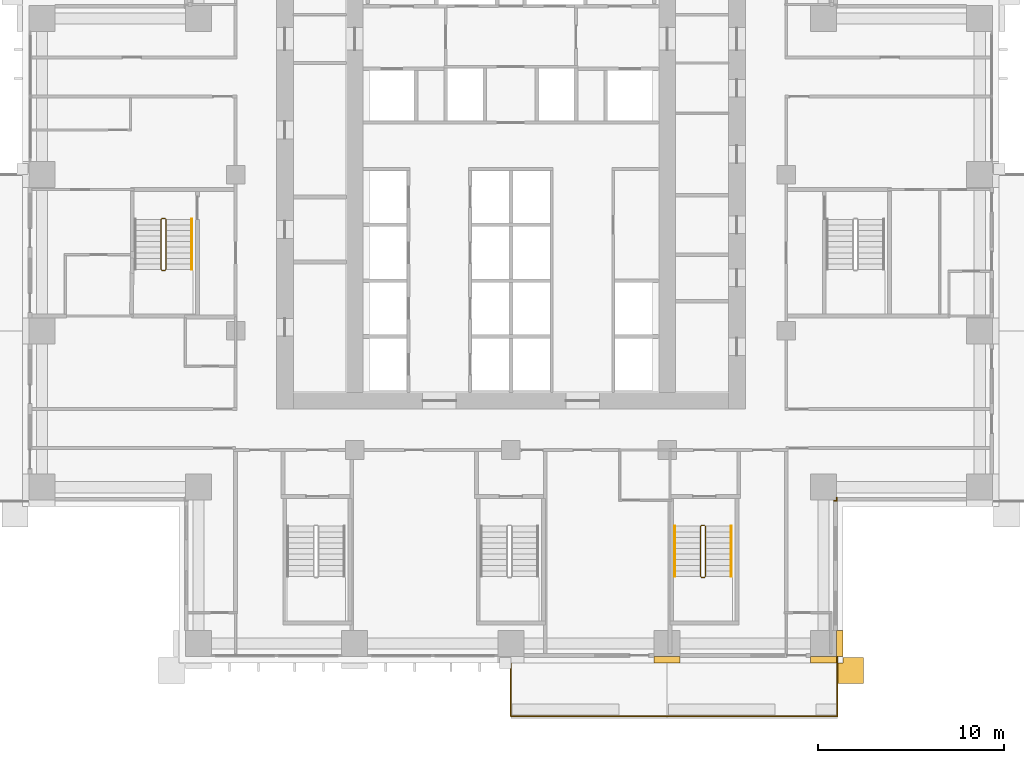
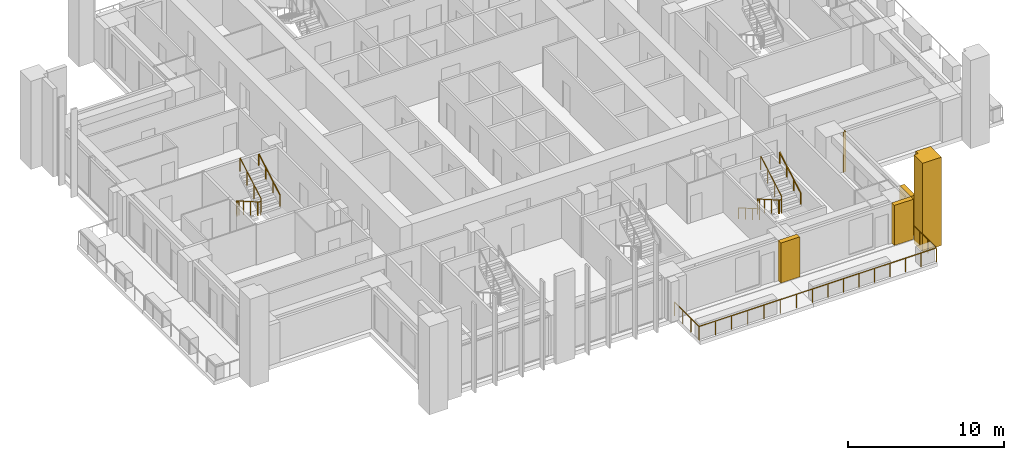
# One storey, part 16 of 19: 7 railings, 5 coverings.
"""IFC4 building model written with IfcOpenShell, lengths in metres."""

from ifc_helpers import new_model, si_unit, direction, frame, origin, origin_2d, place, context, subcontext, project, spatial, polyline, rectangle, outline, extrude, material, type_object, element, save


model = new_model("IFC4")

# Units and contexts
model_context = context("Model", 3, precision=1e-05, world=origin(), true_north=direction((0.0, 1.0)))
body_context = subcontext(model_context, "Body", "Model", "MODEL_VIEW")
ifc_project = project(units=[si_unit("LENGTHUNIT", "METRE"), si_unit("AREAUNIT", "SQUARE_METRE"), si_unit("VOLUMEUNIT", "CUBIC_METRE"), si_unit("PLANEANGLEUNIT", "RADIAN"), si_unit("MASSUNIT", "GRAM", prefix="KILO")], contexts=[model_context])

# Site, building, storey
site_placement = place(None, origin())
site = spatial("IfcSite", under=ifc_project, at=site_placement, CompositionType="ELEMENT")
building_placement = place(site_placement, origin())
building = spatial("IfcBuilding", under=site, at=building_placement, Name="Vermilion Ogive Tower", CompositionType="ELEMENT")
storey_placement = place(building_placement, frame((0.0, 0.0, 48.300048828125)))
storey = spatial("IfcBuildingStorey", under=building, at=storey_placement, Name="L10", CompositionType="ELEMENT", Elevation=48.300048828125)

# Railings
ifc_material_1 = material(Name="Stainless steel and glass", Category="steel")
railing_type_1 = type_object("IfcRailingType", Name="Balcony guard", PredefinedType="GUARDRAIL", material=ifc_material_1)
railing_1_placement = place(storey_placement, frame((0.0, -21.75, -0.0400390625)))
element("IfcRailing", 1, at=railing_1_placement, inside=storey, type_object=railing_type_1, Name="Guard S03", PredefinedType="GUARDRAIL", context=body_context, shape_type="SweptSolid", body=[
    extrude(rectangle(XDim=0.048095703125, YDim=0.048095703125, at=origin_2d()), frame((0.0, 0.0, 1.076171875), z_axis=(0.0, -1.0, 0.0), x_axis=(1.0, 0.0, 0.0)), (0.0, 0.0, 1.0), 3.159912109375),
    extrude(rectangle(XDim=0.048095703125, YDim=0.048095703125, at=origin_2d()), frame((0.0, -3.159912109375, 1.076171875), z_axis=(1.0, 0.0, 0.0), x_axis=(0.0, 1.0, 0.0)), (0.0, 0.0, 1.0), 8.39990234375),
    extrude(rectangle(XDim=0.0419921875, YDim=0.0419921875, at=origin_2d()), origin(), (0.0, 0.0, 1.0), 1.052001953125),
    extrude(rectangle(XDim=0.0419921875, YDim=0.0419921875, at=origin_2d()), frame((0.0, -1.05322265625, 0.0)), (0.0, 0.0, 1.0), 1.052001953125),
    extrude(rectangle(XDim=0.0419921875, YDim=0.0419921875, at=origin_2d()), frame((0.0, -2.106689453125, 0.0)), (0.0, 0.0, 1.0), 1.052001953125),
    extrude(rectangle(XDim=0.0419921875, YDim=0.0419921875, at=origin_2d()), frame((0.0, -3.159912109375, 0.0)), (0.0, 0.0, 1.0), 1.052001953125),
    extrude(rectangle(XDim=0.0419921875, YDim=0.0419921875, at=origin_2d()), frame((1.199951171875, -3.159912109375, 0.0)), (0.0, 0.0, 1.0), 1.052001953125),
    extrude(rectangle(XDim=0.0419921875, YDim=0.0419921875, at=origin_2d()), frame((2.39990234375, -3.159912109375, 0.0)), (0.0, 0.0, 1.0), 1.052001953125),
    extrude(rectangle(XDim=0.0419921875, YDim=0.0419921875, at=origin_2d()), frame((3.599853515625, -3.159912109375, 0.0)), (0.0, 0.0, 1.0), 1.052001953125),
    extrude(rectangle(XDim=0.0419921875, YDim=0.0419921875, at=origin_2d()), frame((4.800048828125, -3.159912109375, 0.0)), (0.0, 0.0, 1.0), 1.052001953125),
    extrude(rectangle(XDim=0.0419921875, YDim=0.0419921875, at=origin_2d()), frame((6.0, -3.159912109375, 0.0)), (0.0, 0.0, 1.0), 1.052001953125),
    extrude(rectangle(XDim=0.0419921875, YDim=0.0419921875, at=origin_2d()), frame((7.199951171875, -3.159912109375, 0.0)), (0.0, 0.0, 1.0), 1.052001953125),
    extrude(rectangle(XDim=0.0419921875, YDim=0.0419921875, at=origin_2d()), frame((8.39990234375, -3.159912109375, 0.0)), (0.0, 0.0, 1.0), 1.052001953125),
])
railing_2_placement = place(storey_placement, frame((8.39990234375, -24.909912109375, -0.0400390625)))
element("IfcRailing", 2, at=railing_2_placement, inside=storey, type_object=railing_type_1, Name="Guard S04", PredefinedType="GUARDRAIL", context=body_context, shape_type="SweptSolid", body=[
    extrude(rectangle(XDim=0.048095703125, YDim=0.048095703125, at=origin_2d()), frame((0.0, 0.0, 1.076171875), z_axis=(1.0, 0.0, 0.0), x_axis=(0.0, 1.0, 0.0)), (0.0, 0.0, 1.0), 9.150146484375),
    extrude(rectangle(XDim=0.048095703125, YDim=0.048095703125, at=origin_2d()), frame((9.150146484375, 0.0, 1.076171875), z_axis=(0.0, 1.0, 0.0), x_axis=(-1.0, 0.0, 0.0)), (0.0, 0.0, 1.0), 3.159912109375),
    extrude(rectangle(XDim=0.0419921875, YDim=0.0419921875, at=origin_2d()), origin(), (0.0, 0.0, 1.0), 1.052001953125),
    extrude(rectangle(XDim=0.0419921875, YDim=0.0419921875, at=origin_2d()), frame((1.143798828125, 0.0, 0.0)), (0.0, 0.0, 1.0), 1.052001953125),
    extrude(rectangle(XDim=0.0419921875, YDim=0.0419921875, at=origin_2d()), frame((2.28759765625, 0.0, 0.0)), (0.0, 0.0, 1.0), 1.052001953125),
    extrude(rectangle(XDim=0.0419921875, YDim=0.0419921875, at=origin_2d()), frame((3.431396484375, 0.0, 0.0)), (0.0, 0.0, 1.0), 1.052001953125),
    extrude(rectangle(XDim=0.0419921875, YDim=0.0419921875, at=origin_2d()), frame((4.5751953125, 0.0, 0.0)), (0.0, 0.0, 1.0), 1.052001953125),
    extrude(rectangle(XDim=0.0419921875, YDim=0.0419921875, at=origin_2d()), frame((5.71875, 0.0, 0.0)), (0.0, 0.0, 1.0), 1.052001953125),
    extrude(rectangle(XDim=0.0419921875, YDim=0.0419921875, at=origin_2d()), frame((6.862548828125, 0.0, 0.0)), (0.0, 0.0, 1.0), 1.052001953125),
    extrude(rectangle(XDim=0.0419921875, YDim=0.0419921875, at=origin_2d()), frame((8.00634765625, 0.0, 0.0)), (0.0, 0.0, 1.0), 1.052001953125),
    extrude(rectangle(XDim=0.0419921875, YDim=0.0419921875, at=origin_2d()), frame((9.150146484375, 0.0, 0.0)), (0.0, 0.0, 1.0), 1.052001953125),
    extrude(rectangle(XDim=0.0419921875, YDim=0.0419921875, at=origin_2d()), frame((9.150146484375, 1.05322265625, 0.0)), (0.0, 0.0, 1.0), 1.052001953125),
    extrude(rectangle(XDim=0.0419921875, YDim=0.0419921875, at=origin_2d()), frame((9.150146484375, 2.106689453125, 0.0)), (0.0, 0.0, 1.0), 1.052001953125),
    extrude(rectangle(XDim=0.0419921875, YDim=0.0419921875, at=origin_2d()), frame((9.150146484375, 3.159912109375, 0.0)), (0.0, 0.0, 1.0), 1.052001953125),
])
ifc_material_2 = material(Name="Steel S355 painted", Category="steel")
railing_type_2 = type_object("IfcRailingType", Name="Stair guard 1100", PredefinedType="GUARDRAIL", material=ifc_material_2)
railing_3_placement = place(storey_placement, frame((10.39990234375, -14.64990234375, 0.0)))
element("IfcRailing", 3, at=railing_3_placement, inside=storey, type_object=railing_type_2, Name="L10 ST5 stair guard 4", PredefinedType="GUARDRAIL", context=body_context, shape_type="SweptSolid", body=[
    extrude(rectangle(XDim=0.048095703125, YDim=0.048095703125, at=origin_2d()), frame((0.0, 0.0, 1.076171875), z_axis=(-1.0, 0.0, 0.0), x_axis=(0.0, -1.0, 0.0)), (0.0, 0.0, 1.0), 0.14990234375),
    extrude(rectangle(XDim=0.048095703125, YDim=0.048095703125, at=origin_2d()), frame((-0.14990234375, 0.0, 1.076171875), z_axis=(-0.268603158521, -0.268603158521, 0.925043072762), x_axis=(0.707106781187, -0.707106781187, 0.0)), (0.0, 0.0, 1.0), 0.186279296875),
    extrude(rectangle(XDim=0.048095703125, YDim=0.048095703125, at=origin_2d()), frame((-0.199951171875, -0.050048828125, 1.24853515625), z_axis=(0.0, -0.866903762492, 0.498475542607), x_axis=(1.0, 0.0, 0.0)), (0.0, 0.0, 1.0), 3.114501953125),
    extrude(rectangle(XDim=0.048095703125, YDim=0.048095703125, at=origin_2d()), frame((-0.199951171875, -2.75, 2.80078125), z_axis=(0.707106781187, -0.707106781187, 0.0), x_axis=(0.707106781187, 0.707106781187, 0.0)), (0.0, 0.0, 1.0), 0.07080078125),
    extrude(rectangle(XDim=0.048095703125, YDim=0.048095703125, at=origin_2d()), frame((-0.14990234375, -2.800048828125, 2.80078125), z_axis=(1.0, 0.0, 0.0), x_axis=(0.0, 1.0, 0.0)), (0.0, 0.0, 1.0), 0.14990234375),
    extrude(rectangle(XDim=0.048095703125, YDim=0.048095703125, at=origin_2d()), frame((0.0, -2.800048828125, 2.80078125), z_axis=(0.268277960024, 0.268277960024, 0.925231793839), x_axis=(-0.707106781187, 0.707106781187, 0.0)), (0.0, 0.0, 1.0), 0.1865234375),
    extrude(rectangle(XDim=0.048095703125, YDim=0.048095703125, at=origin_2d()), frame((0.050048828125, -2.75, 2.9736328125), z_axis=(0.0, 0.866903762492, 0.498475542607), x_axis=(-1.0, 0.0, 0.0)), (0.0, 0.0, 1.0), 3.114501953125),
    extrude(rectangle(XDim=0.0419921875, YDim=0.0419921875, at=origin_2d()), origin(), (0.0, 0.0, 1.0), 1.052001953125),
    extrude(rectangle(XDim=0.0419921875, YDim=0.0419921875, at=origin_2d()), frame((-0.14990234375, 0.0, 0.0)), (0.0, 0.0, 1.0), 1.052001953125),
    extrude(rectangle(XDim=0.0419921875, YDim=0.0419921875, at=origin_2d()), frame((-0.199951171875, -0.050048828125, 0.17236328125)), (0.0, 0.0, 1.0), 1.052001953125),
    extrude(rectangle(XDim=0.0419921875, YDim=0.0419921875, at=origin_2d()), frame((-0.199951171875, -0.949951171875, 0.68994140625)), (0.0, 0.0, 1.0), 1.052001953125),
    extrude(rectangle(XDim=0.0419921875, YDim=0.0419921875, at=origin_2d()), frame((-0.199951171875, -1.85009765625, 1.207275390625)), (0.0, 0.0, 1.0), 1.052001953125),
    extrude(rectangle(XDim=0.0419921875, YDim=0.0419921875, at=origin_2d()), frame((-0.199951171875, -2.75, 1.724853515625)), (0.0, 0.0, 1.0), 1.052001953125),
    extrude(rectangle(XDim=0.0419921875, YDim=0.0419921875, at=origin_2d()), frame((-0.14990234375, -2.800048828125, 1.724853515625)), (0.0, 0.0, 1.0), 1.052001953125),
    extrude(rectangle(XDim=0.0419921875, YDim=0.0419921875, at=origin_2d()), frame((0.0, -2.800048828125, 1.724853515625)), (0.0, 0.0, 1.0), 1.052001953125),
    extrude(rectangle(XDim=0.0419921875, YDim=0.0419921875, at=origin_2d()), frame((0.050048828125, -2.75, 1.8974609375)), (0.0, 0.0, 1.0), 1.052001953125),
    extrude(rectangle(XDim=0.0419921875, YDim=0.0419921875, at=origin_2d()), frame((0.050048828125, -1.85009765625, 2.4150390625)), (0.0, 0.0, 1.0), 1.052001953125),
    extrude(rectangle(XDim=0.0419921875, YDim=0.0419921875, at=origin_2d()), frame((0.050048828125, -0.949951171875, 2.932373046875)), (0.0, 0.0, 1.0), 1.052001953125),
    extrude(rectangle(XDim=0.0419921875, YDim=0.0419921875, at=origin_2d()), frame((0.050048828125, -0.050048828125, 3.449951171875)), (0.0, 0.0, 1.0), 1.052001953125),
])
railing_4_placement = place(storey_placement, frame((-18.60009765625, 1.85009765625, 0.0)))
element("IfcRailing", 4, at=railing_4_placement, inside=storey, type_object=railing_type_2, Name="L10 ST9 stair guard 4", PredefinedType="GUARDRAIL", context=body_context, shape_type="SweptSolid", body=[
    extrude(rectangle(XDim=0.048095703125, YDim=0.048095703125, at=origin_2d()), frame((0.0, 0.0, 1.076171875), z_axis=(-1.0, 0.0, 0.0), x_axis=(0.0, -1.0, 0.0)), (0.0, 0.0, 1.0), 0.14990234375),
    extrude(rectangle(XDim=0.048095703125, YDim=0.048095703125, at=origin_2d()), frame((-0.14990234375, 0.0, 1.076171875), z_axis=(-0.268603158521, -0.268603158521, 0.925043072762), x_axis=(0.707106781187, -0.707106781187, 0.0)), (0.0, 0.0, 1.0), 0.186279296875),
    extrude(rectangle(XDim=0.048095703125, YDim=0.048095703125, at=origin_2d()), frame((-0.199951171875, -0.050048828125, 1.24853515625), z_axis=(0.0, -0.866903762492, 0.498475542607), x_axis=(1.0, 0.0, 0.0)), (0.0, 0.0, 1.0), 3.114501953125),
    extrude(rectangle(XDim=0.048095703125, YDim=0.048095703125, at=origin_2d()), frame((-0.199951171875, -2.75, 2.80078125), z_axis=(0.707106781187, -0.707106781187, 0.0), x_axis=(0.707106781187, 0.707106781187, 0.0)), (0.0, 0.0, 1.0), 0.07080078125),
    extrude(rectangle(XDim=0.048095703125, YDim=0.048095703125, at=origin_2d()), frame((-0.14990234375, -2.800048828125, 2.80078125), z_axis=(1.0, 0.0, 0.0), x_axis=(0.0, 1.0, 0.0)), (0.0, 0.0, 1.0), 0.14990234375),
    extrude(rectangle(XDim=0.048095703125, YDim=0.048095703125, at=origin_2d()), frame((0.0, -2.800048828125, 2.80078125), z_axis=(0.268277960024, 0.268277960024, 0.925231793839), x_axis=(-0.707106781187, 0.707106781187, 0.0)), (0.0, 0.0, 1.0), 0.1865234375),
    extrude(rectangle(XDim=0.048095703125, YDim=0.048095703125, at=origin_2d()), frame((0.050048828125, -2.75, 2.9736328125), z_axis=(0.0, 0.866903762492, 0.498475542607), x_axis=(-1.0, 0.0, 0.0)), (0.0, 0.0, 1.0), 3.114501953125),
    extrude(rectangle(XDim=0.0419921875, YDim=0.0419921875, at=origin_2d()), origin(), (0.0, 0.0, 1.0), 1.052001953125),
    extrude(rectangle(XDim=0.0419921875, YDim=0.0419921875, at=origin_2d()), frame((-0.14990234375, 0.0, 0.0)), (0.0, 0.0, 1.0), 1.052001953125),
    extrude(rectangle(XDim=0.0419921875, YDim=0.0419921875, at=origin_2d()), frame((-0.199951171875, -0.050048828125, 0.17236328125)), (0.0, 0.0, 1.0), 1.052001953125),
    extrude(rectangle(XDim=0.0419921875, YDim=0.0419921875, at=origin_2d()), frame((-0.199951171875, -0.949951171875, 0.68994140625)), (0.0, 0.0, 1.0), 1.052001953125),
    extrude(rectangle(XDim=0.0419921875, YDim=0.0419921875, at=origin_2d()), frame((-0.199951171875, -1.85009765625, 1.207275390625)), (0.0, 0.0, 1.0), 1.052001953125),
    extrude(rectangle(XDim=0.0419921875, YDim=0.0419921875, at=origin_2d()), frame((-0.199951171875, -2.75, 1.724853515625)), (0.0, 0.0, 1.0), 1.052001953125),
    extrude(rectangle(XDim=0.0419921875, YDim=0.0419921875, at=origin_2d()), frame((-0.14990234375, -2.800048828125, 1.724853515625)), (0.0, 0.0, 1.0), 1.052001953125),
    extrude(rectangle(XDim=0.0419921875, YDim=0.0419921875, at=origin_2d()), frame((0.0, -2.800048828125, 1.724853515625)), (0.0, 0.0, 1.0), 1.052001953125),
    extrude(rectangle(XDim=0.0419921875, YDim=0.0419921875, at=origin_2d()), frame((0.050048828125, -2.75, 1.8974609375)), (0.0, 0.0, 1.0), 1.052001953125),
    extrude(rectangle(XDim=0.0419921875, YDim=0.0419921875, at=origin_2d()), frame((0.050048828125, -1.85009765625, 2.4150390625)), (0.0, 0.0, 1.0), 1.052001953125),
    extrude(rectangle(XDim=0.0419921875, YDim=0.0419921875, at=origin_2d()), frame((0.050048828125, -0.949951171875, 2.932373046875)), (0.0, 0.0, 1.0), 1.052001953125),
    extrude(rectangle(XDim=0.0419921875, YDim=0.0419921875, at=origin_2d()), frame((0.050048828125, -0.050048828125, 3.449951171875)), (0.0, 0.0, 1.0), 1.052001953125),
])
ifc_material_3 = material(Name="Stainless steel", Category="steel")
railing_type_3 = type_object("IfcRailingType", Name="Stair handrail 900", PredefinedType="HANDRAIL", material=ifc_material_3)
railing_5_placement = place(storey_placement, frame((8.800048828125, -14.699951171875, 0.17236328125)))
element("IfcRailing", 5, at=railing_5_placement, inside=storey, type_object=railing_type_3, Name="L10 ST5 stair handrail 1", PredefinedType="HANDRAIL", context=body_context, shape_type="SweptSolid", body=[
    extrude(rectangle(XDim=0.048095703125, YDim=0.048095703125, at=origin_2d()), frame((0.0, 0.0, 0.8759765625), z_axis=(0.0, -0.866903762492, 0.498475542607), x_axis=(1.0, 0.0, 0.0)), (0.0, 0.0, 1.0), 3.114501953125),
    extrude(rectangle(XDim=0.0419921875, YDim=0.0419921875, at=origin_2d()), origin(), (0.0, 0.0, 1.0), 0.851806640625),
    extrude(rectangle(XDim=0.0419921875, YDim=0.0419921875, at=origin_2d()), frame((0.0, -0.89990234375, 0.517578125)), (0.0, 0.0, 1.0), 0.851806640625),
    extrude(rectangle(XDim=0.0419921875, YDim=0.0419921875, at=origin_2d()), frame((0.0, -1.800048828125, 1.034912109375)), (0.0, 0.0, 1.0), 0.851806640625),
    extrude(rectangle(XDim=0.0419921875, YDim=0.0419921875, at=origin_2d()), frame((0.0, -2.699951171875, 1.552490234375)), (0.0, 0.0, 1.0), 0.851806640625),
])
for number, where, name in (
    (6, (11.85009765625, -17.39990234375, 1.8974609375), "L10 ST5 stair handrail 2"),
    (7, (-17.14990234375, -0.89990234375, 1.8974609375), "L10 ST9 stair handrail 2"),
):
    element("IfcRailing", number, at=place(storey_placement, frame(where)), inside=storey, type_object=railing_type_3, Name=name, PredefinedType="HANDRAIL", context=body_context, shape_type="SweptSolid", body=[
        extrude(rectangle(XDim=0.048095703125, YDim=0.048095703125, at=origin_2d()), frame((0.0, 0.0, 0.8759765625), z_axis=(0.0, 0.866903762492, 0.498475542607), x_axis=(-1.0, 0.0, 0.0)), (0.0, 0.0, 1.0), 3.114501953125),
        extrude(rectangle(XDim=0.0419921875, YDim=0.0419921875, at=origin_2d()), origin(), (0.0, 0.0, 1.0), 0.851806640625),
        extrude(rectangle(XDim=0.0419921875, YDim=0.0419921875, at=origin_2d()), frame((0.0, 0.89990234375, 0.517578125)), (0.0, 0.0, 1.0), 0.851806640625),
        extrude(rectangle(XDim=0.0419921875, YDim=0.0419921875, at=origin_2d()), frame((0.0, 1.800048828125, 1.034912109375)), (0.0, 0.0, 1.0), 0.851806640625),
        extrude(rectangle(XDim=0.0419921875, YDim=0.0419921875, at=origin_2d()), frame((0.0, 2.699951171875, 1.552490234375)), (0.0, 0.0, 1.0), 0.851806640625),
    ])

# Coverings
ifc_material_4 = material(Name="Stone cladding", Category="masonry")
covering_type_1 = type_object("IfcCoveringType", Name="Stone corner buttress", PredefinedType="CLADDING", material=ifc_material_4)
covering_1_placement = place(storey_placement, frame((0.0, 0.0, -0.320068359375)))
element("IfcCovering", 8, at=covering_1_placement, inside=storey, type_object=covering_type_1, Name="Stone corner buttress X11", PredefinedType="CLADDING", context=body_context, shape_type="SweptSolid", body=[
    extrude(outline(polyline([(17.550048828125, -23.14990234375), (17.550048828125, -22.050048828125), (17.85009765625, -22.050048828125), (17.85009765625, -21.75), (18.949951171875, -21.75), (18.949951171875, -23.14990234375), (17.550048828125, -23.14990234375)])), origin(), (0.0, 0.0, 1.0), 6.89990234375),
])
ifc_material_5 = material(Name="Stone cladding", Category="masonry")
covering_type_2 = type_object("IfcCoveringType", Name="Stone pier", PredefinedType="CLADDING", material=ifc_material_5)
covering_2_placement = place(storey_placement, origin())
element("IfcCovering", 9, at=covering_2_placement, inside=storey, type_object=covering_type_2, Name="Stone corner pier X1E1", PredefinedType="CLADDING", context=body_context, shape_type="SweptSolid", body=[
    extrude(outline(polyline([(17.35009765625, -13.300048828125), (17.5, -13.300048828125), (17.5, -13.14990234375), (17.550048828125, -13.14990234375), (17.550048828125, -13.35009765625), (17.35009765625, -13.35009765625), (17.35009765625, -13.300048828125)])), origin(), (0.0, 0.0, 1.0), 3.1298828125),
])
covering_3_placement = place(storey_placement, origin())
element("IfcCovering", 10, at=covering_3_placement, inside=storey, type_object=covering_type_2, Name="Stone pier P+0084-210", PredefinedType="CLADDING", context=body_context, shape_type="SweptSolid", body=[
    extrude(outline(polyline([(9.10009765625, -21.699951171875), (9.10009765625, -22.050048828125), (7.699951171875, -22.050048828125), (7.699951171875, -21.699951171875), (9.10009765625, -21.699951171875), (9.10009765625, -21.699951171875)])), origin(), (0.0, 0.0, 1.0), 3.1298828125),
])
covering_4_placement = place(storey_placement, origin())
element("IfcCovering", 11, at=covering_4_placement, inside=storey, type_object=covering_type_2, Name="Stone pier P+0168-210S", PredefinedType="CLADDING", context=body_context, shape_type="SweptSolid", body=[
    extrude(outline(polyline([(17.5, -21.699951171875), (17.5, -21.699951171875), (17.5, -22.050048828125), (16.10009765625, -22.050048828125), (16.10009765625, -21.699951171875), (16.10009765625, -21.699951171875), (17.5, -21.699951171875)])), origin(), (0.0, 0.0, 1.0), 3.1298828125),
])
covering_5_placement = place(storey_placement, origin())
element("IfcCovering", 12, at=covering_5_placement, inside=storey, type_object=covering_type_2, Name="Stone pier P+0168-210X1", PredefinedType="CLADDING", context=body_context, shape_type="SweptSolid", body=[
    extrude(outline(polyline([(17.85009765625, -21.699951171875), (17.5, -21.699951171875), (17.5, -21.699951171875), (17.5, -20.300048828125), (17.85009765625, -20.300048828125), (17.85009765625, -21.699951171875)])), origin(), (0.0, 0.0, 1.0), 3.1298828125),
])

save(model, "model.ifc")
